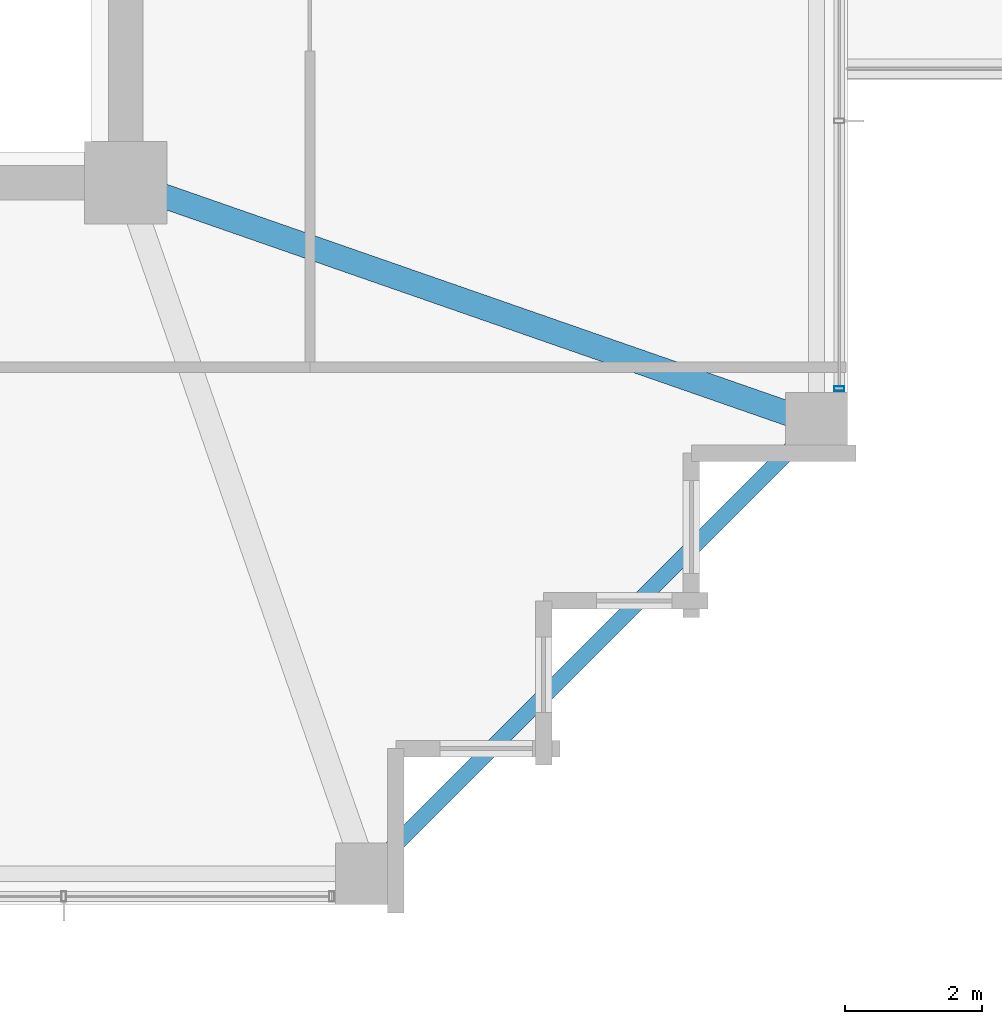
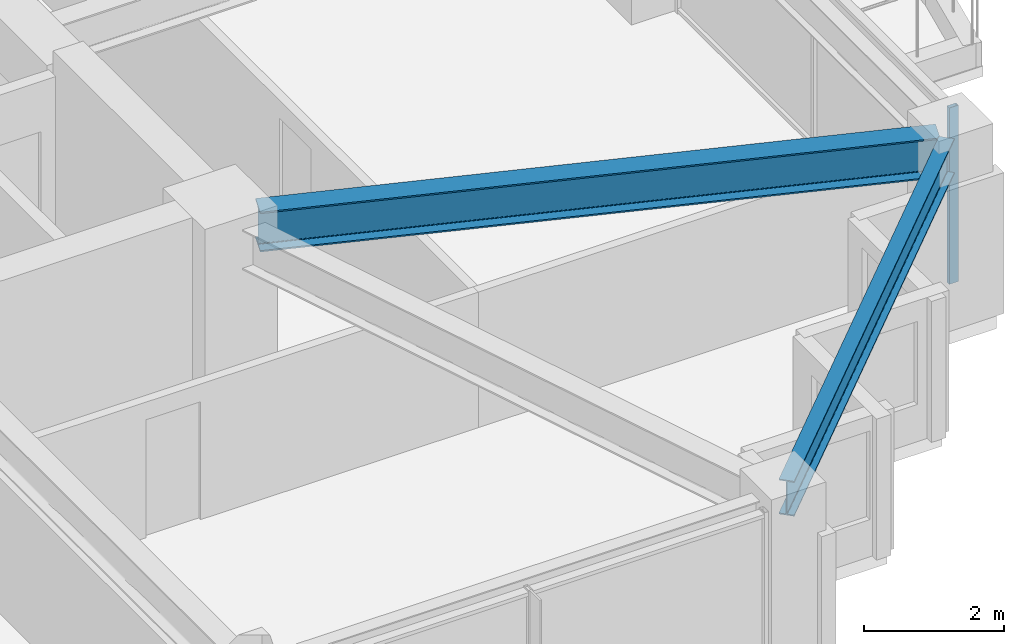
# One storey, part 11 of 35: 2 beams, 1 member, 1 element without a shape of its own.
"""IFC4 building model written with IfcOpenShell, lengths in metres."""

from ifc_helpers import new_model, si_unit, direction, frame, origin, origin_2d, place, context, subcontext, project, spatial, hollow_rectangle, i_section, extrude, material, material_profile, profile_set, type_object, element, aggregate, save


model = new_model("IFC4")

# Units and contexts
model_context = context("Model", 3, precision=1e-05, world=origin(), true_north=direction((0.0, 1.0)))
body_context = subcontext(model_context, "Body", "Model", "MODEL_VIEW")
ifc_project = project(units=[si_unit("LENGTHUNIT", "METRE"), si_unit("AREAUNIT", "SQUARE_METRE"), si_unit("VOLUMEUNIT", "CUBIC_METRE"), si_unit("PLANEANGLEUNIT", "RADIAN"), si_unit("MASSUNIT", "GRAM", prefix="KILO")], contexts=[model_context])

# Site, building, storey
site_placement = place(None, origin())
site = spatial("IfcSite", under=ifc_project, at=site_placement, CompositionType="ELEMENT")
building_placement = place(site_placement, origin())
building = spatial("IfcBuilding", under=site, at=building_placement, Name="Kolvaren Belvedere", CompositionType="ELEMENT")
storey_placement = place(building_placement, frame((0.0, 0.0, 183.300048828125)))
storey = spatial("IfcBuildingStorey", under=building, at=storey_placement, Name="L53", CompositionType="ELEMENT", Elevation=183.300048828125)

# Beams
ifc_material_1 = material(Name="Structural steel ASTM A992 Grade 50", Category="steel")
ifc_material_profile_1 = material_profile(ifc_material_1, i_section(OverallWidth=0.35498046875, OverallDepth=0.696044921875, WebThickness=0.015380859375, FlangeThickness=0.02490234375, FilletRadius=0.02197265625, at=origin_2d()), Name="W27X146")
ifc_profile_set_1 = profile_set([ifc_material_profile_1], Name="Structural steel ASTM A992 Grade 50")
beam_type_1 = type_object("IfcBeamType", Name="BM-GIRD-W27X146", PredefinedType="BEAM", material=ifc_profile_set_1)
beam_1_placement = place(storey_placement, frame((10.41943359375, -10.080810546875, 2.73193359375), z_axis=(0.944366798861, -0.328894130701, 0.0), x_axis=(0.328894130701, 0.944366798861, 0.0)))
element("IfcBeam", 1, at=beam_1_placement, inside=storey, type_object=beam_type_1, Name="L53 Corner Core-to-Perimeter Girder CC2-E1", PredefinedType="BEAM", context=body_context, shape_type="SweptSolid", body=[
    extrude(i_section(OverallWidth=0.35498046875, OverallDepth=0.696044921875, WebThickness=0.015380859375, FlangeThickness=0.02490234375, FilletRadius=0.02197265625, at=origin_2d()), origin(), (0.0, 0.0, 1.0), 9.912109375),
])
ifc_material_2 = material(Name="Structural steel ASTM A992 Grade 50", Category="steel")
ifc_material_profile_2 = material_profile(ifc_material_2, i_section(OverallWidth=0.22900390625, OverallDepth=0.612060546875, WebThickness=0.011962890625, FlangeThickness=0.01953125, FilletRadius=0.01806640625, at=origin_2d()), Name="W24X84")
ifc_profile_set_2 = profile_set([ifc_material_profile_2], Name="Structural steel ASTM A992 Grade 50")
beam_type_2 = type_object("IfcBeamType", Name="BM-SPAN-W24X84", PredefinedType="SPANDREL", material=ifc_profile_set_2)
beam_2_placement = place(storey_placement, frame((13.543212890625, -19.806884765625, 2.77392578125), z_axis=(0.707106781187, 0.707106781187, 0.0), x_axis=(-0.707106781187, 0.707106781187, 0.0)))
element("IfcBeam", 2, at=beam_2_placement, inside=storey, type_object=beam_type_2, Name="L53 Perimeter Spandrel S4-E1", PredefinedType="SPANDREL", context=body_context, shape_type="SweptSolid", body=[
    extrude(i_section(OverallWidth=0.22900390625, OverallDepth=0.612060546875, WebThickness=0.011962890625, FlangeThickness=0.01953125, FilletRadius=0.01806640625, at=origin_2d()), origin(), (0.0, 0.0, 1.0), 8.858154296875),
])

# Curtain wall, member
ifc_material_3 = material(Name="Anodised pale-metal aluminium AA 6063-T6", Category="aluminium")
curtain_wall_type = type_object("IfcCurtainWallType", Name="CW-Z5-HIGH", PredefinedType="NOTDEFINED", material=ifc_material_3)
curtain_wall_placement = place(storey_placement, origin())
curtain_wall = element("IfcCurtainWall", 3, at=curtain_wall_placement, inside=storey, type_object=curtain_wall_type, Name="L53 Unitised Curtain Wall FCW-L53-E2-B2", PredefinedType="NOTDEFINED")
ifc_material_4 = material(Name="Anodised pale-metal aluminium AA 6063-T6", Category="aluminium")
ifc_material_profile_3 = material_profile(ifc_material_4, hollow_rectangle(XDim=0.070068359375, YDim=0.14990234375, WallThickness=0.004150390625, at=origin_2d()), Name="ALU-MUL-150X70")
ifc_profile_set_3 = profile_set([ifc_material_profile_3], Name="Anodised pale-metal aluminium AA 6063-T6")
member_type = type_object("IfcMemberType", Name="CW-MUL-150", PredefinedType="MULLION", material=ifc_profile_set_3)
member_placement = place(storey_placement, frame((20.280029296875, -12.89501953125, 0.0), z_axis=(0.0, 0.0, 1.0), x_axis=(0.0, 1.0, 0.0)))
member = element("IfcMember", 4, at=member_placement, type_object=member_type, Name="FCW-L53-E2-B2 Unitised Mullion 3", PredefinedType="MULLION", context=body_context, shape_type="SweptSolid", body=[
    extrude(hollow_rectangle(XDim=0.070068359375, YDim=0.14990234375, WallThickness=0.004150390625, at=origin_2d()), origin(), (0.0, 0.0, 1.0), 3.079833984375),
])
aggregate(curtain_wall, [member])

save(model, "model.ifc")
